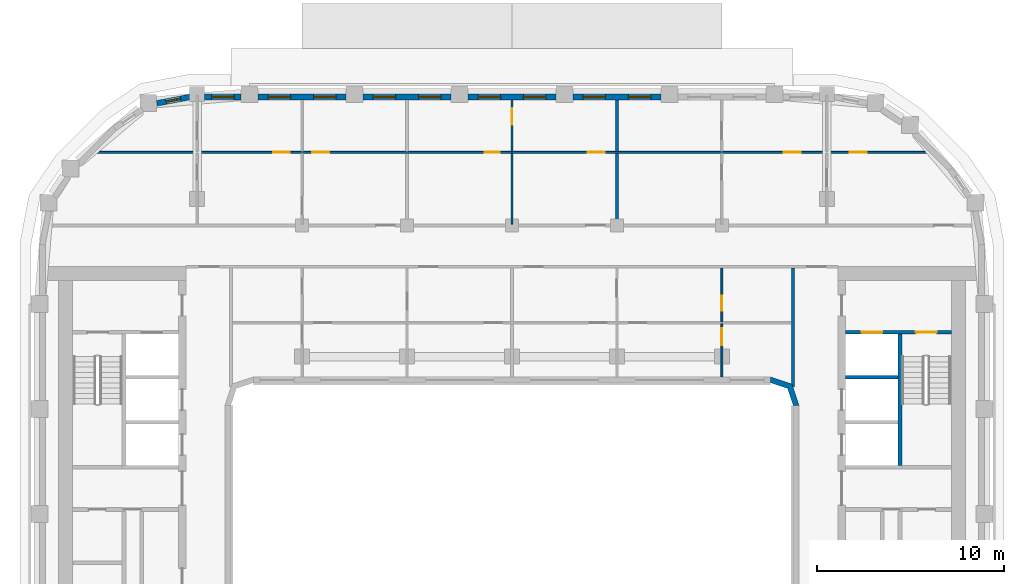
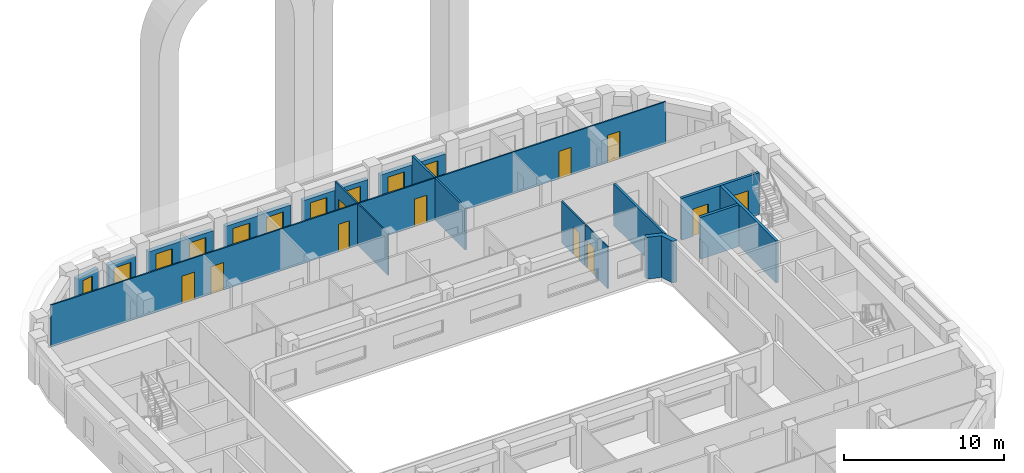
# One storey, part 7 of 18: 18 walls, 11 doors, 10 windows, 21 openings.
"""IFC4 building model written with IfcOpenShell, lengths in metres."""

from ifc_helpers import new_model, si_unit, direction, frame, frame_2d, origin, place, context, subcontext, project, spatial, polyline, rectangle, outline, extrude, material, layer, layer_set, type_object, element, fill, save


model = new_model("IFC4")

# Units and contexts
model_context = context("Model", 3, precision=1e-05, world=origin(), true_north=direction((0.0, 1.0)))
body_context = subcontext(model_context, "Body", "Model", "MODEL_VIEW")
ifc_project = project(units=[si_unit("LENGTHUNIT", "METRE"), si_unit("AREAUNIT", "SQUARE_METRE"), si_unit("VOLUMEUNIT", "CUBIC_METRE"), si_unit("PLANEANGLEUNIT", "RADIAN"), si_unit("MASSUNIT", "GRAM", prefix="KILO")], contexts=[model_context])

# Site, building, storey
site_placement = place(None, origin())
site = spatial("IfcSite", under=ifc_project, at=site_placement, CompositionType="ELEMENT")
building_placement = place(site_placement, origin())
building = spatial("IfcBuilding", under=site, at=building_placement, Name="Kiln Ring Residences", CompositionType="ELEMENT")
storey_placement = place(building_placement, frame((0.0, 0.0, 209.89990234375)))
storey = spatial("IfcBuildingStorey", under=building, at=storey_placement, Name="L54", CompositionType="ELEMENT", Elevation=209.89990234375)

# Walls
ifc_material_1 = material(Name="Gypsum shaft wall system")
ifc_layer_1 = layer(ifc_material_1, 0.199951171875)
ifc_layer_set_1 = layer_set([ifc_layer_1], Name="CORE-SHAFT-WALL-200")
wall_type_1 = type_object("IfcWallType", Name="CORE-SHAFT-WALL-200", PredefinedType="PARTITIONING", material=ifc_layer_set_1)
wall_1_placement = place(storey_placement, frame((17.800048828125, 7.300048828125, 0.0), z_axis=(0.0, 0.0, 1.0), x_axis=(1.0, 0.0, 0.0)))
element("IfcWall", 1, at=wall_1_placement, inside=storey, type_object=wall_type_1, Name="Core partition east L54 7", PredefinedType="PARTITIONING", context=body_context, shape_type="SweptSolid", body=[
    extrude(rectangle(XDim=2.800048828125, YDim=0.199951171875, at=frame_2d((1.39990234375, 0.0))), origin(), (0.0, 0.0, 1.0), 3.2001953125),
])
ifc_material_2 = material(Name="Concrete C40/50", Category="concrete")
ifc_layer_2 = layer(ifc_material_2, 0.199951171875)
ifc_layer_set_2 = layer_set([ifc_layer_2], Name="CORE-WALL-RC200")
wall_type_2 = type_object("IfcWallType", Name="CORE-WALL-RC200", PredefinedType="SHEAR", material=ifc_layer_set_2)
wall_2_placement = place(storey_placement, frame((20.699951171875, 2.60009765625, 0.0), z_axis=(0.0, 0.0, 1.0), x_axis=(0.0, 1.0, 0.0)))
element("IfcWall", 2, at=wall_2_placement, inside=storey, type_object=wall_type_2, Name="Core wall east L54 1", PredefinedType="SHEAR", context=body_context, shape_type="SweptSolid", body=[
    extrude(rectangle(XDim=7.0, YDim=0.199951171875, at=frame_2d((3.5, 0.0))), origin(), (0.0, 0.0, 1.0), 3.2001953125),
])

# Wall, openings, doors
wall_3_placement = place(storey_placement, frame((17.800048828125, 9.699951171875, 0.0), z_axis=(0.0, 0.0, 1.0), x_axis=(1.0, 0.0, 0.0)))
wall_3 = element("IfcWall", 3, at=wall_3_placement, inside=storey, type_object=wall_type_2, Name="Core wall east L54 9", PredefinedType="SHEAR", context=body_context, shape_type="SweptSolid", body=[
    extrude(rectangle(XDim=5.64990234375, YDim=0.199951171875, at=frame_2d((2.824951171875, 0.0))), origin(), (0.0, 0.0, 1.0), 3.2001953125),
])
opening_1_placement = place(wall_3_placement, frame((0.85009765625, 0.0, 0.0)))
opening_1 = element("IfcOpeningElement", 4, at=opening_1_placement, cuts=wall_3, Name="Opening L54-CE06", PredefinedType="OPENING", context=body_context, shape_type="SweptSolid", body=[
    extrude(rectangle(XDim=1.10009765625, YDim=2.10009765625, at=frame_2d((0.550048828125, 1.050048828125))), frame((0.0, 0.10986328125, 0.0), z_axis=(0.0, -1.0, 0.0), x_axis=(1.0, 0.0, 0.0)), (0.0, 0.0, 1.0), 0.219970703125),
])
opening_2_placement = place(wall_3_placement, frame((3.75, 0.0, 0.0)))
opening_2 = element("IfcOpeningElement", 5, at=opening_2_placement, cuts=wall_3, Name="Opening L54-CE09", PredefinedType="OPENING", context=body_context, shape_type="SweptSolid", body=[
    extrude(rectangle(XDim=1.10009765625, YDim=2.10009765625, at=frame_2d((0.550048828125, 1.050048828125))), frame((0.0, 0.10986328125, 0.0), z_axis=(0.0, -1.0, 0.0), x_axis=(1.0, 0.0, 0.0)), (0.0, 0.0, 1.0), 0.219970703125),
])
ifc_material_3 = material(Name="Steel door leaf", Category="steel")
door_type_1 = type_object("IfcDoorType", Name="CORE-DOOR-LD", OperationType="DOUBLE_DOOR_SLIDING", PredefinedType="DOOR", material=ifc_material_3)
door_1_placement = place(opening_1_placement, origin())
door_1 = element("IfcDoor", 6, at=door_1_placement, inside=storey, type_object=door_type_1, Name="LD E-FF L54-CE06", OperationType="DOUBLE_DOOR_SLIDING", OverallHeight=2.10009765625, OverallWidth=1.10009765625, PredefinedType="DOOR", context=body_context, shape_type="SweptSolid", body=[
    extrude(rectangle(XDim=1.10009765625, YDim=2.10009765625, at=frame_2d((0.550048828125, 1.050048828125))), frame((0.0, 0.02490234375, 0.0), z_axis=(0.0, -1.0, 0.0), x_axis=(1.0, 0.0, 0.0)), (0.0, 0.0, 1.0), 0.050048828125),
])
fill(opening_1, door_1)
ifc_material_4 = material(Name="Steel door leaf", Category="steel")
door_type_2 = type_object("IfcDoorType", Name="CORE-DOOR-STAIR", OperationType="SINGLE_SWING_LEFT", PredefinedType="DOOR", material=ifc_material_4)
door_2_placement = place(opening_2_placement, origin())
door_2 = element("IfcDoor", 7, at=door_2_placement, inside=storey, type_object=door_type_2, Name="Stair E-STN L54-CE09", OperationType="SINGLE_SWING_RIGHT", OverallHeight=2.10009765625, OverallWidth=1.10009765625, PredefinedType="DOOR", context=body_context, shape_type="SweptSolid", body=[
    extrude(rectangle(XDim=1.10009765625, YDim=2.10009765625, at=frame_2d((0.550048828125, 1.050048828125))), frame((0.0, 0.02490234375, 0.0), z_axis=(0.0, -1.0, 0.0), x_axis=(1.0, 0.0, 0.0)), (0.0, 0.0, 1.0), 0.050048828125),
])
fill(opening_2, door_2)

# Wall, openings, windows
ifc_material_5 = material(Name="Brick masonry, dark clay brick", Category="masonry")
ifc_layer_3 = layer(ifc_material_5, 0.300048828125)
ifc_layer_set_3 = layer_set([ifc_layer_3], Name="EW-300 BRICK WALL")
wall_type_3 = type_object("IfcWallType", Name="EW-300 BRICK WALL", PredefinedType="SOLIDWALL", material=ifc_layer_set_3)
wall_4_placement = place(storey_placement, frame((7.949951171875, 22.25, 0.0), z_axis=(0.0, 0.0, 1.0), x_axis=(-1.0, 0.0, 0.0)))
wall_4 = element("IfcWall", 8, at=wall_4_placement, inside=storey, type_object=wall_type_3, Name="Facade wall L54 29", PredefinedType="SOLIDWALL", context=body_context, shape_type="SweptSolid", body=[
    extrude(rectangle(XDim=4.699951171875, YDim=0.300048828125, at=frame_2d((2.35009765625, 0.0))), origin(), (0.0, 0.0, 1.0), 2.5),
])
opening_3_placement = place(wall_4_placement, frame((0.53759765625, 0.0, 0.60009765625)))
opening_3 = element("IfcOpeningElement", 9, at=opening_3_placement, cuts=wall_4, Name="Opening W1", PredefinedType="OPENING", context=body_context, shape_type="SweptSolid", body=[
    extrude(rectangle(XDim=1.199951171875, YDim=1.550048828125, at=frame_2d((0.60009765625, 0.77490234375))), frame((0.0, 0.159912109375, 0.0), z_axis=(0.0, -1.0, 0.0), x_axis=(1.0, 0.0, 0.0)), (0.0, 0.0, 1.0), 0.320068359375),
])
opening_4_placement = place(wall_4_placement, frame((2.96240234375, 0.0, 0.60009765625)))
opening_4 = element("IfcOpeningElement", 10, at=opening_4_placement, cuts=wall_4, Name="Opening W1", PredefinedType="OPENING", context=body_context, shape_type="SweptSolid", body=[
    extrude(rectangle(XDim=1.199951171875, YDim=1.550048828125, at=frame_2d((0.60009765625, 0.77490234375))), frame((0.0, 0.159912109375, 0.0), z_axis=(0.0, -1.0, 0.0), x_axis=(1.0, 0.0, 0.0)), (0.0, 0.0, 1.0), 0.320068359375),
])
ifc_material_6 = material(Name="Aluminium frame with double glazing", Category="aluminium")
window_type_1 = type_object("IfcWindowType", Name="WINDOW 1200 x 1550", PartitioningType="SINGLE_PANEL", PredefinedType="WINDOW", material=ifc_material_6)
window_1_placement = place(opening_3_placement, origin())
window_1 = element("IfcWindow", 11, at=window_1_placement, inside=storey, type_object=window_type_1, Name="Window L54 22", OverallHeight=1.550048828125, OverallWidth=1.199951171875, PartitioningType="SINGLE_PANEL", PredefinedType="WINDOW", context=body_context, shape_type="SweptSolid", body=[
    extrude(rectangle(XDim=1.199951171875, YDim=1.550048828125, at=frame_2d((0.60009765625, 0.77490234375))), frame((0.0, 0.030029296875, 0.0), z_axis=(0.0, -1.0, 0.0), x_axis=(1.0, 0.0, 0.0)), (0.0, 0.0, 1.0), 0.06005859375),
])
fill(opening_3, window_1)
window_2_placement = place(opening_4_placement, origin())
window_2 = element("IfcWindow", 12, at=window_2_placement, inside=storey, type_object=window_type_1, Name="Window L54 23", OverallHeight=1.550048828125, OverallWidth=1.199951171875, PartitioningType="SINGLE_PANEL", PredefinedType="WINDOW", context=body_context, shape_type="SweptSolid", body=[
    extrude(rectangle(XDim=1.199951171875, YDim=1.550048828125, at=frame_2d((0.60009765625, 0.77490234375))), frame((0.0, 0.030029296875, 0.0), z_axis=(0.0, -1.0, 0.0), x_axis=(1.0, 0.0, 0.0)), (0.0, 0.0, 1.0), 0.06005859375),
])
fill(opening_4, window_2)

wall_5_placement = place(storey_placement, frame((2.35009765625, 22.25, 0.0), z_axis=(0.0, 0.0, 1.0), x_axis=(-1.0, 0.0, 0.0)))
wall_5 = element("IfcWall", 13, at=wall_5_placement, inside=storey, type_object=wall_type_3, Name="Facade wall L54 30", PredefinedType="SOLIDWALL", context=body_context, shape_type="SweptSolid", body=[
    extrude(rectangle(XDim=4.7001953125, YDim=0.300048828125, at=frame_2d((2.35009765625, 0.0))), origin(), (0.0, 0.0, 1.0), 2.5),
])
opening_5_placement = place(wall_5_placement, frame((0.53759765625, 0.0, 0.60009765625)))
opening_5 = element("IfcOpeningElement", 14, at=opening_5_placement, cuts=wall_5, Name="Opening W1", PredefinedType="OPENING", context=body_context, shape_type="SweptSolid", body=[
    extrude(rectangle(XDim=1.199951171875, YDim=1.550048828125, at=frame_2d((0.60009765625, 0.77490234375))), frame((0.0, 0.159912109375, 0.0), z_axis=(0.0, -1.0, 0.0), x_axis=(1.0, 0.0, 0.0)), (0.0, 0.0, 1.0), 0.320068359375),
])
opening_6_placement = place(wall_5_placement, frame((2.96240234375, 0.0, 0.60009765625)))
opening_6 = element("IfcOpeningElement", 15, at=opening_6_placement, cuts=wall_5, Name="Opening W1", PredefinedType="OPENING", context=body_context, shape_type="SweptSolid", body=[
    extrude(rectangle(XDim=1.199951171875, YDim=1.550048828125, at=frame_2d((0.60009765625, 0.77490234375))), frame((0.0, 0.159912109375, 0.0), z_axis=(0.0, -1.0, 0.0), x_axis=(1.0, 0.0, 0.0)), (0.0, 0.0, 1.0), 0.320068359375),
])
window_3_placement = place(opening_5_placement, origin())
window_3 = element("IfcWindow", 16, at=window_3_placement, inside=storey, type_object=window_type_1, Name="Window L54 24", OverallHeight=1.550048828125, OverallWidth=1.199951171875, PartitioningType="SINGLE_PANEL", PredefinedType="WINDOW", context=body_context, shape_type="SweptSolid", body=[
    extrude(rectangle(XDim=1.199951171875, YDim=1.550048828125, at=frame_2d((0.60009765625, 0.77490234375))), frame((0.0, 0.030029296875, 0.0), z_axis=(0.0, -1.0, 0.0), x_axis=(1.0, 0.0, 0.0)), (0.0, 0.0, 1.0), 0.06005859375),
])
fill(opening_5, window_3)
window_4_placement = place(opening_6_placement, origin())
window_4 = element("IfcWindow", 17, at=window_4_placement, inside=storey, type_object=window_type_1, Name="Window L54 25", OverallHeight=1.550048828125, OverallWidth=1.199951171875, PartitioningType="SINGLE_PANEL", PredefinedType="WINDOW", context=body_context, shape_type="SweptSolid", body=[
    extrude(rectangle(XDim=1.199951171875, YDim=1.550048828125, at=frame_2d((0.60009765625, 0.77490234375))), frame((0.0, 0.030029296875, 0.0), z_axis=(0.0, -1.0, 0.0), x_axis=(1.0, 0.0, 0.0)), (0.0, 0.0, 1.0), 0.06005859375),
])
fill(opening_6, window_4)

wall_6_placement = place(storey_placement, frame((-3.25, 22.25, 0.0), z_axis=(0.0, 0.0, 1.0), x_axis=(-1.0, 0.0, 0.0)))
wall_6 = element("IfcWall", 18, at=wall_6_placement, inside=storey, type_object=wall_type_3, Name="Facade wall L54 31", PredefinedType="SOLIDWALL", context=body_context, shape_type="SweptSolid", body=[
    extrude(rectangle(XDim=4.699951171875, YDim=0.300048828125, at=frame_2d((2.35009765625, 0.0))), origin(), (0.0, 0.0, 1.0), 2.5),
])
opening_7_placement = place(wall_6_placement, frame((0.53759765625, 0.0, 0.60009765625)))
opening_7 = element("IfcOpeningElement", 19, at=opening_7_placement, cuts=wall_6, Name="Opening W1", PredefinedType="OPENING", context=body_context, shape_type="SweptSolid", body=[
    extrude(rectangle(XDim=1.199951171875, YDim=1.550048828125, at=frame_2d((0.60009765625, 0.77490234375))), frame((0.0, 0.159912109375, 0.0), z_axis=(0.0, -1.0, 0.0), x_axis=(1.0, 0.0, 0.0)), (0.0, 0.0, 1.0), 0.320068359375),
])
opening_8_placement = place(wall_6_placement, frame((2.96240234375, 0.0, 0.60009765625)))
opening_8 = element("IfcOpeningElement", 20, at=opening_8_placement, cuts=wall_6, Name="Opening W1", PredefinedType="OPENING", context=body_context, shape_type="SweptSolid", body=[
    extrude(rectangle(XDim=1.199951171875, YDim=1.550048828125, at=frame_2d((0.60009765625, 0.77490234375))), frame((0.0, 0.159912109375, 0.0), z_axis=(0.0, -1.0, 0.0), x_axis=(1.0, 0.0, 0.0)), (0.0, 0.0, 1.0), 0.320068359375),
])
window_5_placement = place(opening_7_placement, origin())
window_5 = element("IfcWindow", 21, at=window_5_placement, inside=storey, type_object=window_type_1, Name="Window L54 26", OverallHeight=1.550048828125, OverallWidth=1.199951171875, PartitioningType="SINGLE_PANEL", PredefinedType="WINDOW", context=body_context, shape_type="SweptSolid", body=[
    extrude(rectangle(XDim=1.199951171875, YDim=1.550048828125, at=frame_2d((0.60009765625, 0.77490234375))), frame((0.0, 0.030029296875, 0.0), z_axis=(0.0, -1.0, 0.0), x_axis=(1.0, 0.0, 0.0)), (0.0, 0.0, 1.0), 0.06005859375),
])
fill(opening_7, window_5)
window_6_placement = place(opening_8_placement, origin())
window_6 = element("IfcWindow", 22, at=window_6_placement, inside=storey, type_object=window_type_1, Name="Window L54 27", OverallHeight=1.550048828125, OverallWidth=1.199951171875, PartitioningType="SINGLE_PANEL", PredefinedType="WINDOW", context=body_context, shape_type="SweptSolid", body=[
    extrude(rectangle(XDim=1.199951171875, YDim=1.550048828125, at=frame_2d((0.60009765625, 0.77490234375))), frame((0.0, 0.030029296875, 0.0), z_axis=(0.0, -1.0, 0.0), x_axis=(1.0, 0.0, 0.0)), (0.0, 0.0, 1.0), 0.06005859375),
])
fill(opening_8, window_6)

wall_7_placement = place(storey_placement, frame((-8.85009765625, 22.25, 0.0), z_axis=(0.0, 0.0, 1.0), x_axis=(-1.0, 0.0, 0.0)))
wall_7 = element("IfcWall", 23, at=wall_7_placement, inside=storey, type_object=wall_type_3, Name="Facade wall L54 32", PredefinedType="SOLIDWALL", context=body_context, shape_type="SweptSolid", body=[
    extrude(rectangle(XDim=4.699951171875, YDim=0.300048828125, at=frame_2d((2.35009765625, 0.0))), origin(), (0.0, 0.0, 1.0), 2.5),
])
opening_9_placement = place(wall_7_placement, frame((0.53759765625, 0.0, 0.60009765625)))
opening_9 = element("IfcOpeningElement", 24, at=opening_9_placement, cuts=wall_7, Name="Opening W1", PredefinedType="OPENING", context=body_context, shape_type="SweptSolid", body=[
    extrude(rectangle(XDim=1.199951171875, YDim=1.550048828125, at=frame_2d((0.60009765625, 0.77490234375))), frame((0.0, 0.159912109375, 0.0), z_axis=(0.0, -1.0, 0.0), x_axis=(1.0, 0.0, 0.0)), (0.0, 0.0, 1.0), 0.320068359375),
])
opening_10_placement = place(wall_7_placement, frame((2.96240234375, 0.0, 0.60009765625)))
opening_10 = element("IfcOpeningElement", 25, at=opening_10_placement, cuts=wall_7, Name="Opening W1", PredefinedType="OPENING", context=body_context, shape_type="SweptSolid", body=[
    extrude(rectangle(XDim=1.199951171875, YDim=1.550048828125, at=frame_2d((0.60009765625, 0.77490234375))), frame((0.0, 0.159912109375, 0.0), z_axis=(0.0, -1.0, 0.0), x_axis=(1.0, 0.0, 0.0)), (0.0, 0.0, 1.0), 0.320068359375),
])
window_7_placement = place(opening_9_placement, origin())
window_7 = element("IfcWindow", 26, at=window_7_placement, inside=storey, type_object=window_type_1, Name="Window L54 28", OverallHeight=1.550048828125, OverallWidth=1.199951171875, PartitioningType="SINGLE_PANEL", PredefinedType="WINDOW", context=body_context, shape_type="SweptSolid", body=[
    extrude(rectangle(XDim=1.199951171875, YDim=1.550048828125, at=frame_2d((0.60009765625, 0.77490234375))), frame((0.0, 0.030029296875, 0.0), z_axis=(0.0, -1.0, 0.0), x_axis=(1.0, 0.0, 0.0)), (0.0, 0.0, 1.0), 0.06005859375),
])
fill(opening_9, window_7)
window_8_placement = place(opening_10_placement, origin())
window_8 = element("IfcWindow", 27, at=window_8_placement, inside=storey, type_object=window_type_1, Name="Window L54 29", OverallHeight=1.550048828125, OverallWidth=1.199951171875, PartitioningType="SINGLE_PANEL", PredefinedType="WINDOW", context=body_context, shape_type="SweptSolid", body=[
    extrude(rectangle(XDim=1.199951171875, YDim=1.550048828125, at=frame_2d((0.60009765625, 0.77490234375))), frame((0.0, 0.030029296875, 0.0), z_axis=(0.0, -1.0, 0.0), x_axis=(1.0, 0.0, 0.0)), (0.0, 0.0, 1.0), 0.06005859375),
])
fill(opening_10, window_8)

# Wall, opening, window
wall_8_placement = place(storey_placement, frame((-14.449951171875, 22.25, 0.0), z_axis=(0.0, 0.0, 1.0), x_axis=(-1.0, 0.0, 0.0)))
wall_8 = element("IfcWall", 28, at=wall_8_placement, inside=storey, type_object=wall_type_3, Name="Facade wall L54 33", PredefinedType="SOLIDWALL", context=body_context, shape_type="SweptSolid", body=[
    extrude(rectangle(XDim=1.949951171875, YDim=0.300048828125, at=frame_2d((0.97509765625, 0.0))), origin(), (0.0, 0.0, 1.0), 2.5),
])
opening_11_placement = place(wall_8_placement, frame((0.375, 0.0, 0.60009765625)))
opening_11 = element("IfcOpeningElement", 29, at=opening_11_placement, cuts=wall_8, Name="Opening W1", PredefinedType="OPENING", context=body_context, shape_type="SweptSolid", body=[
    extrude(rectangle(XDim=1.199951171875, YDim=1.550048828125, at=frame_2d((0.60009765625, 0.77490234375))), frame((0.0, 0.159912109375, 0.0), z_axis=(0.0, -1.0, 0.0), x_axis=(1.0, 0.0, 0.0)), (0.0, 0.0, 1.0), 0.320068359375),
])
window_9_placement = place(opening_11_placement, origin())
window_9 = element("IfcWindow", 30, at=window_9_placement, inside=storey, type_object=window_type_1, Name="Window L54 30", OverallHeight=1.550048828125, OverallWidth=1.199951171875, PartitioningType="SINGLE_PANEL", PredefinedType="WINDOW", context=body_context, shape_type="SweptSolid", body=[
    extrude(rectangle(XDim=1.199951171875, YDim=1.550048828125, at=frame_2d((0.60009765625, 0.77490234375))), frame((0.0, 0.030029296875, 0.0), z_axis=(0.0, -1.0, 0.0), x_axis=(1.0, 0.0, 0.0)), (0.0, 0.0, 1.0), 0.06005859375),
])
fill(opening_11, window_9)

wall_9_placement = place(storey_placement, frame((-17.178955078125, 22.251220703125, 0.0), z_axis=(0.0, 0.0, 1.0), x_axis=(-0.98230529033, -0.187286722942, 0.0)))
wall_9 = element("IfcWall", 31, at=wall_9_placement, inside=storey, type_object=wall_type_3, Name="Facade wall L54 34", PredefinedType="SOLIDWALL", context=body_context, shape_type="SweptSolid", body=[
    extrude(rectangle(XDim=1.798828125, YDim=0.300048828125, at=frame_2d((0.8994140625, 0.0))), origin(), (0.0, 0.0, 1.0), 2.5),
])
opening_12_placement = place(wall_9_placement, frame((0.49951171875, 0.0, 0.60009765625)))
opening_12 = element("IfcOpeningElement", 32, at=opening_12_placement, cuts=wall_9, Name="Opening W5", PredefinedType="OPENING", context=body_context, shape_type="SweptSolid", body=[
    extrude(rectangle(XDim=0.800048828125, YDim=1.550048828125, at=frame_2d((0.39990234375, 0.77490234375))), frame((0.0, 0.159912109375, 0.0), z_axis=(0.0, -1.0, 0.0), x_axis=(1.0, 0.0, 0.0)), (0.0, 0.0, 1.0), 0.320068359375),
])
ifc_material_7 = material(Name="Aluminium frame with double glazing", Category="aluminium")
window_type_2 = type_object("IfcWindowType", Name="WINDOW 800 x 1550", PartitioningType="SINGLE_PANEL", PredefinedType="WINDOW", material=ifc_material_7)
window_10_placement = place(opening_12_placement, origin())
window_10 = element("IfcWindow", 33, at=window_10_placement, inside=storey, type_object=window_type_2, Name="Window L54 31", OverallHeight=1.550048828125, OverallWidth=0.800048828125, PartitioningType="SINGLE_PANEL", PredefinedType="WINDOW", context=body_context, shape_type="SweptSolid", body=[
    extrude(rectangle(XDim=0.800048828125, YDim=1.550048828125, at=frame_2d((0.39990234375, 0.77490234375))), frame((0.0, 0.030029296875, 0.0), z_axis=(0.0, -1.0, 0.0), x_axis=(1.0, 0.0, 0.0)), (0.0, 0.0, 1.0), 0.06005859375),
])
fill(opening_12, window_10)

# Wall
wall_10_placement = place(storey_placement, origin())
element("IfcWall", 34, at=wall_10_placement, inside=storey, type_object=wall_type_3, Name="Corner wall L54 2", PredefinedType="SOLIDWALL", context=body_context, shape_type="SweptSolid", body=[
    extrude(outline(polyline([(14.937255859375, 6.937255859375), (13.8486328125, 7.300048828125), (13.800048828125, 7.300048828125), (13.800048828125, 7.0), (14.699951171875, 6.699951171875), (15.0, 5.800048828125), (15.300048828125, 5.800048828125), (15.300048828125, 5.8486328125), (14.937255859375, 6.937255859375)])), origin(), (0.0, 0.0, 1.0), 3.2001953125),
])

# Wall, openings, doors
ifc_material_8 = material(Name="Gypsum board on steel studs", Category="steel")
ifc_layer_4 = layer(ifc_material_8, 0.10009765625)
ifc_layer_set_4 = layer_set([ifc_layer_4], Name="PARTITION-100")
wall_type_4 = type_object("IfcWallType", Name="PARTITION-100", PredefinedType="PARTITIONING", material=ifc_layer_set_4)
wall_11_placement = place(storey_placement, frame((-22.255615234375, 19.300048828125, 0.0), z_axis=(0.0, 0.0, 1.0), x_axis=(1.0, 0.0, 0.0)))
wall_11 = element("IfcWall", 35, at=wall_11_placement, inside=storey, type_object=wall_type_4, Name="Partition 006", PredefinedType="PARTITIONING", context=body_context, shape_type="SweptSolid", body=[
    extrude(rectangle(XDim=44.51123046875, YDim=0.10009765625, at=frame_2d((22.255615234375, 0.0))), origin(), (0.0, 0.0, 1.0), 3.2001953125),
])
opening_13_placement = place(wall_11_placement, frame((11.605712890625, 0.0, 0.0)))
opening_13 = element("IfcOpeningElement", 36, at=opening_13_placement, cuts=wall_11, Name="Opening L54-D020", PredefinedType="OPENING", context=body_context, shape_type="SweptSolid", body=[
    extrude(rectangle(XDim=0.89990234375, YDim=2.10009765625, at=frame_2d((0.449951171875, 1.050048828125))), frame((0.0, 0.06005859375, 0.0), z_axis=(0.0, -1.0, 0.0), x_axis=(1.0, 0.0, 0.0)), (0.0, 0.0, 1.0), 0.1201171875),
])
opening_14_placement = place(wall_11_placement, frame((9.505615234375, 0.0, 0.0)))
opening_14 = element("IfcOpeningElement", 37, at=opening_14_placement, cuts=wall_11, Name="Opening L54-D021", PredefinedType="OPENING", context=body_context, shape_type="SweptSolid", body=[
    extrude(rectangle(XDim=0.89990234375, YDim=2.10009765625, at=frame_2d((0.449951171875, 1.050048828125))), frame((0.0, 0.06005859375, 0.0), z_axis=(0.0, -1.0, 0.0), x_axis=(1.0, 0.0, 0.0)), (0.0, 0.0, 1.0), 0.1201171875),
])
opening_15_placement = place(wall_11_placement, frame((20.8056640625, 0.0, 0.0)))
opening_15 = element("IfcOpeningElement", 38, at=opening_15_placement, cuts=wall_11, Name="Opening L54-D024", PredefinedType="OPENING", context=body_context, shape_type="SweptSolid", body=[
    extrude(rectangle(XDim=0.800048828125, YDim=2.10009765625, at=frame_2d((0.39990234375, 1.050048828125))), frame((0.0, 0.06005859375, 0.0), z_axis=(0.0, -1.0, 0.0), x_axis=(1.0, 0.0, 0.0)), (0.0, 0.0, 1.0), 0.1201171875),
])
opening_16_placement = place(wall_11_placement, frame((26.3056640625, 0.0, 0.0)))
opening_16 = element("IfcOpeningElement", 39, at=opening_16_placement, cuts=wall_11, Name="Opening L54-D025", PredefinedType="OPENING", context=body_context, shape_type="SweptSolid", body=[
    extrude(rectangle(XDim=0.89990234375, YDim=2.10009765625, at=frame_2d((0.449951171875, 1.050048828125))), frame((0.0, 0.06005859375, 0.0), z_axis=(0.0, -1.0, 0.0), x_axis=(1.0, 0.0, 0.0)), (0.0, 0.0, 1.0), 0.1201171875),
])
opening_17_placement = place(wall_11_placement, frame((40.277587890625, 0.0, 0.0)))
opening_17 = element("IfcOpeningElement", 40, at=opening_17_placement, cuts=wall_11, Name="Opening L54-D030", PredefinedType="OPENING", context=body_context, shape_type="SweptSolid", body=[
    extrude(rectangle(XDim=0.89990234375, YDim=2.10009765625, at=frame_2d((0.449951171875, 1.050048828125))), frame((0.0, 0.06005859375, 0.0), z_axis=(0.0, -1.0, 0.0), x_axis=(1.0, 0.0, 0.0)), (0.0, 0.0, 1.0), 0.1201171875),
])
opening_18_placement = place(wall_11_placement, frame((36.755615234375, 0.0, 0.0)))
opening_18 = element("IfcOpeningElement", 41, at=opening_18_placement, cuts=wall_11, Name="Opening L54-D031", PredefinedType="OPENING", context=body_context, shape_type="SweptSolid", body=[
    extrude(rectangle(XDim=0.89990234375, YDim=2.10009765625, at=frame_2d((0.449951171875, 1.050048828125))), frame((0.0, 0.06005859375, 0.0), z_axis=(0.0, -1.0, 0.0), x_axis=(1.0, 0.0, 0.0)), (0.0, 0.0, 1.0), 0.1201171875),
])
ifc_material_9 = material(Name="Timber door leaf", Category="wood")
door_type_3 = type_object("IfcDoorType", Name="FLAT-DOOR-800-PL", OperationType="SINGLE_SWING_LEFT", PredefinedType="DOOR", material=ifc_material_9)
door_3_placement = place(opening_15_placement, origin())
door_3 = element("IfcDoor", 42, at=door_3_placement, inside=storey, type_object=door_type_3, Name="Door L54-D024", OperationType="SINGLE_SWING_RIGHT", OverallHeight=2.10009765625, OverallWidth=0.800048828125, PredefinedType="DOOR", context=body_context, shape_type="SweptSolid", body=[
    extrude(rectangle(XDim=0.800048828125, YDim=2.10009765625, at=frame_2d((0.39990234375, 1.050048828125))), frame((0.0, 0.02490234375, 0.0), z_axis=(0.0, -1.0, 0.0), x_axis=(1.0, 0.0, 0.0)), (0.0, 0.0, 1.0), 0.050048828125),
])
fill(opening_15, door_3)
ifc_material_10 = material(Name="Timber door leaf", Category="wood")
door_type_4 = type_object("IfcDoorType", Name="FLAT-DOOR-900-PL", OperationType="SINGLE_SWING_LEFT", PredefinedType="DOOR", material=ifc_material_10)
door_4_placement = place(opening_13_placement, origin())
door_4 = element("IfcDoor", 43, at=door_4_placement, inside=storey, type_object=door_type_4, Name="Door L54-D020", OperationType="SINGLE_SWING_RIGHT", OverallHeight=2.10009765625, OverallWidth=0.89990234375, PredefinedType="DOOR", context=body_context, shape_type="SweptSolid", body=[
    extrude(rectangle(XDim=0.89990234375, YDim=2.10009765625, at=frame_2d((0.449951171875, 1.050048828125))), frame((0.0, 0.02490234375, 0.0), z_axis=(0.0, -1.0, 0.0), x_axis=(1.0, 0.0, 0.0)), (0.0, 0.0, 1.0), 0.050048828125),
])
fill(opening_13, door_4)
door_5_placement = place(opening_14_placement, origin())
door_5 = element("IfcDoor", 44, at=door_5_placement, inside=storey, type_object=door_type_4, Name="Door L54-D021", OperationType="SINGLE_SWING_LEFT", OverallHeight=2.10009765625, OverallWidth=0.89990234375, PredefinedType="DOOR", context=body_context, shape_type="SweptSolid", body=[
    extrude(rectangle(XDim=0.89990234375, YDim=2.10009765625, at=frame_2d((0.449951171875, 1.050048828125))), frame((0.0, 0.02490234375, 0.0), z_axis=(0.0, -1.0, 0.0), x_axis=(1.0, 0.0, 0.0)), (0.0, 0.0, 1.0), 0.050048828125),
])
fill(opening_14, door_5)
door_6_placement = place(opening_16_placement, origin())
door_6 = element("IfcDoor", 45, at=door_6_placement, inside=storey, type_object=door_type_4, Name="Door L54-D025", OperationType="SINGLE_SWING_LEFT", OverallHeight=2.10009765625, OverallWidth=0.89990234375, PredefinedType="DOOR", context=body_context, shape_type="SweptSolid", body=[
    extrude(rectangle(XDim=0.89990234375, YDim=2.10009765625, at=frame_2d((0.449951171875, 1.050048828125))), frame((0.0, 0.02490234375, 0.0), z_axis=(0.0, -1.0, 0.0), x_axis=(1.0, 0.0, 0.0)), (0.0, 0.0, 1.0), 0.050048828125),
])
fill(opening_16, door_6)
door_7_placement = place(opening_17_placement, origin())
door_7 = element("IfcDoor", 46, at=door_7_placement, inside=storey, type_object=door_type_4, Name="Door L54-D030", OperationType="SINGLE_SWING_RIGHT", OverallHeight=2.10009765625, OverallWidth=0.89990234375, PredefinedType="DOOR", context=body_context, shape_type="SweptSolid", body=[
    extrude(rectangle(XDim=0.89990234375, YDim=2.10009765625, at=frame_2d((0.449951171875, 1.050048828125))), frame((0.0, 0.02490234375, 0.0), z_axis=(0.0, -1.0, 0.0), x_axis=(1.0, 0.0, 0.0)), (0.0, 0.0, 1.0), 0.050048828125),
])
fill(opening_17, door_7)
door_8_placement = place(opening_18_placement, origin())
door_8 = element("IfcDoor", 47, at=door_8_placement, inside=storey, type_object=door_type_4, Name="Door L54-D031", OperationType="SINGLE_SWING_LEFT", OverallHeight=2.10009765625, OverallWidth=0.89990234375, PredefinedType="DOOR", context=body_context, shape_type="SweptSolid", body=[
    extrude(rectangle(XDim=0.89990234375, YDim=2.10009765625, at=frame_2d((0.449951171875, 1.050048828125))), frame((0.0, 0.02490234375, 0.0), z_axis=(0.0, -1.0, 0.0), x_axis=(1.0, 0.0, 0.0)), (0.0, 0.0, 1.0), 0.050048828125),
])
fill(opening_18, door_8)

# Wall
wall_12_placement = place(storey_placement, frame((0.0, 15.47509765625, 0.0), z_axis=(0.0, 0.0, 1.0), x_axis=(0.0, 1.0, 0.0)))
element("IfcWall", 48, at=wall_12_placement, inside=storey, type_object=wall_type_4, Name="Partition 030", PredefinedType="PARTITIONING", context=body_context, shape_type="SweptSolid", body=[
    extrude(rectangle(XDim=3.77490234375, YDim=0.10009765625, at=frame_2d((1.887451171875, 0.0))), origin(), (0.0, 0.0, 1.0), 3.2001953125),
])

# Wall, opening, door
wall_13_placement = place(storey_placement, frame((0.0, 19.35009765625, 0.0), z_axis=(0.0, 0.0, 1.0), x_axis=(0.0, 1.0, 0.0)))
wall_13 = element("IfcWall", 49, at=wall_13_placement, inside=storey, type_object=wall_type_4, Name="Partition 031", PredefinedType="PARTITIONING", context=body_context, shape_type="SweptSolid", body=[
    extrude(rectangle(XDim=2.72998046875, YDim=0.10009765625, at=frame_2d((1.364990234375, 0.0))), origin(), (0.0, 0.0, 1.0), 3.2001953125),
])
opening_19_placement = place(wall_13_placement, frame((1.409912109375, 0.0, 0.0)))
opening_19 = element("IfcOpeningElement", 50, at=opening_19_placement, cuts=wall_13, Name="Opening L54-D026", PredefinedType="OPENING", context=body_context, shape_type="SweptSolid", body=[
    extrude(rectangle(XDim=0.89990234375, YDim=2.10009765625, at=frame_2d((0.449951171875, 1.050048828125))), frame((0.0, 0.06005859375, 0.0), z_axis=(0.0, -1.0, 0.0), x_axis=(1.0, 0.0, 0.0)), (0.0, 0.0, 1.0), 0.1201171875),
])
door_9_placement = place(opening_19_placement, origin())
door_9 = element("IfcDoor", 51, at=door_9_placement, inside=storey, type_object=door_type_4, Name="Door L54-D026", OperationType="SINGLE_SWING_LEFT", OverallHeight=2.10009765625, OverallWidth=0.89990234375, PredefinedType="DOOR", context=body_context, shape_type="SweptSolid", body=[
    extrude(rectangle(XDim=0.89990234375, YDim=2.10009765625, at=frame_2d((0.449951171875, 1.050048828125))), frame((0.0, 0.02490234375, 0.0), z_axis=(0.0, -1.0, 0.0), x_axis=(1.0, 0.0, 0.0)), (0.0, 0.0, 1.0), 0.050048828125),
])
fill(opening_19, door_9)

wall_14_placement = place(storey_placement, frame((11.199951171875, 7.320068359375, 0.0), z_axis=(0.0, 0.0, 1.0), x_axis=(0.0, 1.0, 0.0)))
wall_14 = element("IfcWall", 52, at=wall_14_placement, inside=storey, type_object=wall_type_4, Name="Partition 044", PredefinedType="PARTITIONING", context=body_context, shape_type="SweptSolid", body=[
    extrude(rectangle(XDim=2.829833984375, YDim=0.10009765625, at=frame_2d((1.4150390625, 0.0))), origin(), (0.0, 0.0, 1.0), 3.2001953125),
])
opening_20_placement = place(wall_14_placement, frame((1.699951171875, 0.0, 0.0)))
opening_20 = element("IfcOpeningElement", 53, at=opening_20_placement, cuts=wall_14, Name="Opening L54-D016", PredefinedType="OPENING", context=body_context, shape_type="SweptSolid", body=[
    extrude(rectangle(XDim=0.89990234375, YDim=2.10009765625, at=frame_2d((0.449951171875, 1.050048828125))), frame((0.0, 0.06005859375, 0.0), z_axis=(0.0, -1.0, 0.0), x_axis=(1.0, 0.0, 0.0)), (0.0, 0.0, 1.0), 0.1201171875),
])
door_10_placement = place(opening_20_placement, origin())
door_10 = element("IfcDoor", 54, at=door_10_placement, inside=storey, type_object=door_type_4, Name="Door L54-D016", OperationType="SINGLE_SWING_RIGHT", OverallHeight=2.10009765625, OverallWidth=0.89990234375, PredefinedType="DOOR", context=body_context, shape_type="SweptSolid", body=[
    extrude(rectangle(XDim=0.89990234375, YDim=2.10009765625, at=frame_2d((0.449951171875, 1.050048828125))), frame((0.0, 0.02490234375, 0.0), z_axis=(0.0, -1.0, 0.0), x_axis=(1.0, 0.0, 0.0)), (0.0, 0.0, 1.0), 0.050048828125),
])
fill(opening_20, door_10)

wall_15_placement = place(storey_placement, frame((11.199951171875, 10.25, 0.0), z_axis=(0.0, 0.0, 1.0), x_axis=(0.0, 1.0, 0.0)))
wall_15 = element("IfcWall", 55, at=wall_15_placement, inside=storey, type_object=wall_type_4, Name="Partition 045", PredefinedType="PARTITIONING", context=body_context, shape_type="SweptSolid", body=[
    extrude(rectangle(XDim=2.875, YDim=0.10009765625, at=frame_2d((1.4375, 0.0))), origin(), (0.0, 0.0, 1.0), 3.2001953125),
])
opening_21_placement = place(wall_15_placement, frame((0.60009765625, 0.0, 0.0)))
opening_21 = element("IfcOpeningElement", 56, at=opening_21_placement, cuts=wall_15, Name="Opening L54-D013", PredefinedType="OPENING", context=body_context, shape_type="SweptSolid", body=[
    extrude(rectangle(XDim=0.800048828125, YDim=2.10009765625, at=frame_2d((0.39990234375, 1.050048828125))), frame((0.0, 0.06005859375, 0.0), z_axis=(0.0, -1.0, 0.0), x_axis=(1.0, 0.0, 0.0)), (0.0, 0.0, 1.0), 0.1201171875),
])
door_11_placement = place(opening_21_placement, origin())
door_11 = element("IfcDoor", 57, at=door_11_placement, inside=storey, type_object=door_type_3, Name="Door L54-D013", OperationType="SINGLE_SWING_LEFT", OverallHeight=2.10009765625, OverallWidth=0.800048828125, PredefinedType="DOOR", context=body_context, shape_type="SweptSolid", body=[
    extrude(rectangle(XDim=0.800048828125, YDim=2.10009765625, at=frame_2d((0.39990234375, 1.050048828125))), frame((0.0, 0.02490234375, 0.0), z_axis=(0.0, -1.0, 0.0), x_axis=(1.0, 0.0, 0.0)), (0.0, 0.0, 1.0), 0.050048828125),
])
fill(opening_21, door_11)

# Walls
ifc_material_11 = material(Name="Brick masonry partition", Category="masonry")
ifc_layer_5 = layer(ifc_material_11, 0.14990234375)
ifc_layer_set_5 = layer_set([ifc_layer_5], Name="PARTITION-150-ei60")
wall_type_5 = type_object("IfcWallType", Name="PARTITION-150-ei60", PredefinedType="PARTITIONING", material=ifc_layer_set_5)
wall_16_placement = place(storey_placement, frame((5.60009765625, 15.47509765625, 0.0), z_axis=(0.0, 0.0, 1.0), x_axis=(0.0, 1.0, 0.0)))
element("IfcWall", 58, at=wall_16_placement, inside=storey, type_object=wall_type_5, Name="Partition 039", PredefinedType="PARTITIONING", context=body_context, shape_type="SweptSolid", body=[
    extrude(rectangle(XDim=3.77490234375, YDim=0.14990234375, at=frame_2d((1.887451171875, 0.0))), origin(), (0.0, 0.0, 1.0), 3.2001953125),
])
wall_17_placement = place(storey_placement, frame((5.60009765625, 19.35009765625, 0.0), z_axis=(0.0, 0.0, 1.0), x_axis=(0.0, 1.0, 0.0)))
element("IfcWall", 59, at=wall_17_placement, inside=storey, type_object=wall_type_5, Name="Partition 040", PredefinedType="PARTITIONING", context=body_context, shape_type="SweptSolid", body=[
    extrude(rectangle(XDim=2.72998046875, YDim=0.14990234375, at=frame_2d((1.364990234375, 0.0))), origin(), (0.0, 0.0, 1.0), 3.2001953125),
])
wall_18_placement = place(storey_placement, frame((15.0, 6.768798828125, 0.0), z_axis=(0.0, 0.0, 1.0), x_axis=(0.0, 1.0, 0.0)))
element("IfcWall", 60, at=wall_18_placement, inside=storey, type_object=wall_type_5, Name="Partition 049", PredefinedType="PARTITIONING", context=body_context, shape_type="SweptSolid", body=[
    extrude(rectangle(XDim=6.356201171875, YDim=0.14990234375, at=frame_2d((3.17822265625, 0.0))), origin(), (0.0, 0.0, 1.0), 3.2001953125),
])

save(model, "model.ifc")
